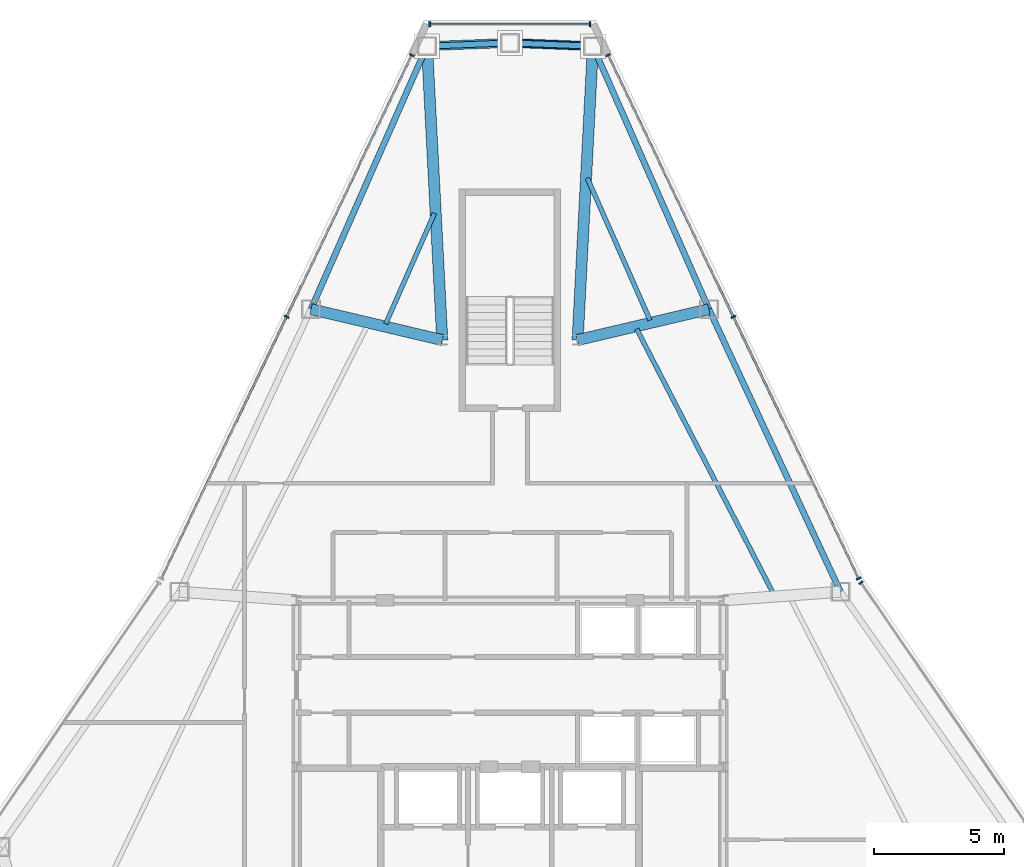
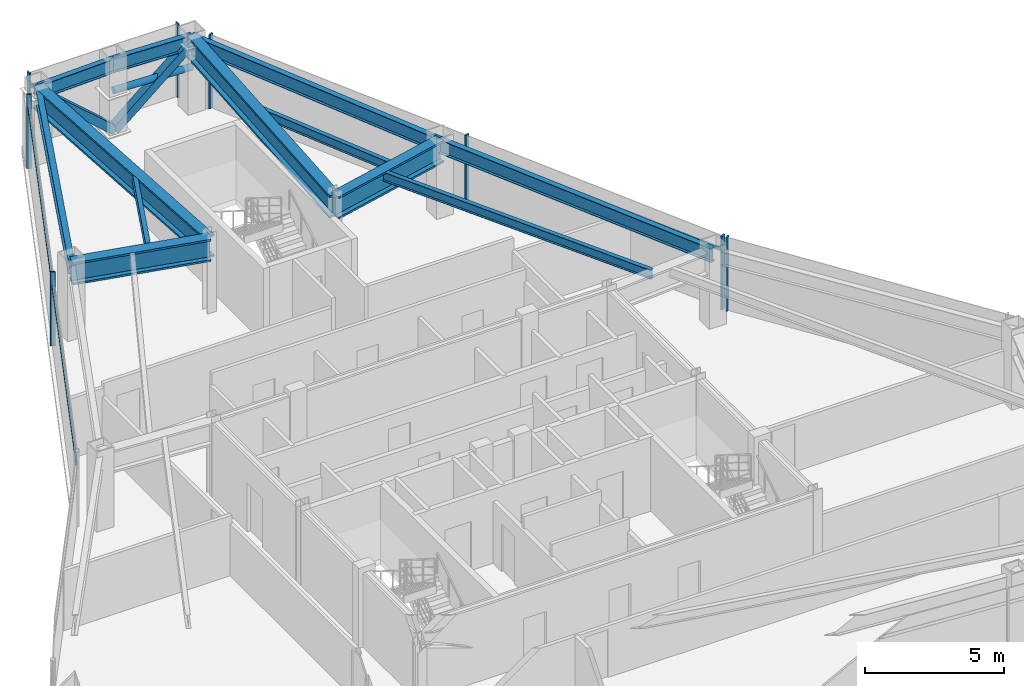
# One storey, part 7 of 12: 14 members, 12 beams, 4 elements without a shape of their own.
"""IFC4 building model written with IfcOpenShell, lengths in metres."""

from ifc_helpers import new_model, si_unit, direction, frame, origin, origin_2d, place, context, subcontext, project, spatial, rectangle, hollow_rectangle, hollow_circle, i_section, extrude, source, transform, mapped, material, layer, layer_set, material_profile, profile_set, type_object, type_shapes, element, aggregate, save


model = new_model("IFC4")

# Units and contexts
model_context = context("Model", 3, precision=1e-05, world=origin(), true_north=direction((0.0, 1.0)))
body_context = subcontext(model_context, "Body", "Model", "MODEL_VIEW")
ifc_project = project(units=[si_unit("LENGTHUNIT", "METRE"), si_unit("AREAUNIT", "SQUARE_METRE"), si_unit("VOLUMEUNIT", "CUBIC_METRE"), si_unit("PLANEANGLEUNIT", "RADIAN"), si_unit("MASSUNIT", "GRAM", prefix="KILO")], contexts=[model_context])

# Site, building, storey
site_placement = place(None, origin())
site = spatial("IfcSite", under=ifc_project, at=site_placement, CompositionType="ELEMENT")
building_placement = place(site_placement, origin())
building = spatial("IfcBuilding", under=site, at=building_placement, Name="Varakhsha Concourse Tower", CompositionType="ELEMENT")
storey_placement = place(building_placement, frame((0.0, 0.0, 222.39990234375)))
storey = spatial("IfcBuildingStorey", under=building, at=storey_placement, Name="L63", CompositionType="ELEMENT", Elevation=222.39990234375)

# Beams
ifc_material_1 = material(Name="Structural Steel ASTM A992 Grade 50", Category="steel")
ifc_material_profile_1 = material_profile(ifc_material_1, i_section(OverallWidth=0.177978515625, OverallDepth=0.406982421875, WebThickness=0.008056640625, FlangeThickness=0.012939453125, at=origin_2d()), Name="W16X40")
ifc_profile_set_1 = profile_set([ifc_material_profile_1], Name="Structural Steel ASTM A992 Grade 50")
beam_type_1 = type_object("IfcBeamType", Name="BM-JST-W16X40", PredefinedType="JOIST", material=ifc_profile_set_1)
beam_1_placement = place(storey_placement, frame((37.097412109375, 46.06787109375, 3.046630859375), z_axis=(-0.403583198259, -0.91494295018, 0.0), x_axis=(0.91494295018, -0.403583198259, 0.0)))
element("IfcBeam", 1, at=beam_1_placement, inside=storey, type_object=beam_type_1, Name="BM-TJST-L63-03", PredefinedType="JOIST", context=body_context, shape_type="SweptSolid", body=[
    extrude(i_section(OverallWidth=0.177978515625, OverallDepth=0.406982421875, WebThickness=0.008056640625, FlangeThickness=0.012939453125, at=origin_2d()), origin(), (0.0, 0.0, 1.0), 4.63916015625),
])
beam_2_placement = place(storey_placement, frame((50.12890625, 31.443603515625, 3.046630859375), z_axis=(-0.458935408201, 0.888469634315, 0.0), x_axis=(-0.888469634315, -0.458935408201, 0.0)))
element("IfcBeam", 2, at=beam_2_placement, inside=storey, type_object=beam_type_1, Name="BM-TJST-L63-17", PredefinedType="JOIST", context=body_context, shape_type="SweptSolid", body=[
    extrude(i_section(OverallWidth=0.177978515625, OverallDepth=0.406982421875, WebThickness=0.008056640625, FlangeThickness=0.012939453125, at=origin_2d()), origin(), (0.0, 0.0, 1.0), 11.459228515625),
])
beam_3_placement = place(storey_placement, frame((45.380126953125, 41.9658203125, 3.046630859375), z_axis=(-0.403599895575, 0.914935584777, 0.0), x_axis=(-0.914935584777, -0.403599895575, 0.0)))
element("IfcBeam", 3, at=beam_3_placement, inside=storey, type_object=beam_type_1, Name="BM-TJST-L63-18", PredefinedType="JOIST", context=body_context, shape_type="SweptSolid", body=[
    extrude(i_section(OverallWidth=0.177978515625, OverallDepth=0.406982421875, WebThickness=0.008056640625, FlangeThickness=0.012939453125, at=origin_2d()), origin(), (0.0, 0.0, 1.0), 5.96435546875),
])
ifc_material_profile_2 = material_profile(ifc_material_1, i_section(OverallWidth=0.22900390625, OverallDepth=0.612060546875, WebThickness=0.011962890625, FlangeThickness=0.02001953125, at=origin_2d()), Name="W24X84")
ifc_profile_set_2 = profile_set([ifc_material_profile_2], Name="Structural Steel ASTM A992 Grade 50")
beam_type_2 = type_object("IfcBeamType", Name="BM-SPAN-W24X84", PredefinedType="SPANDREL", material=ifc_profile_set_2)
for number, where, z_axis, x_axis, name in (
    (4, (43.186767578125, 52.491943359375, 2.944091796875), (-0.999225590173, 0.039347426136, 0.0), (-0.039347426136, -0.999225590173, 0.0), "BM-SPAN-L63-01"),
    (5, (40.0, 52.617431640625, 2.944091796875), (-0.999225590173, -0.039347426136, 0.0), (0.039347426136, -0.999225590173, 0.0), "BM-SPAN-L63-02"),
):
    element("IfcBeam", number, at=place(storey_placement, frame(where, z_axis=z_axis, x_axis=x_axis)), inside=storey, type_object=beam_type_2, Name=name, PredefinedType="SPANDREL", context=body_context, shape_type="SweptSolid", body=[
        extrude(i_section(OverallWidth=0.22900390625, OverallDepth=0.612060546875, WebThickness=0.011962890625, FlangeThickness=0.02001953125, at=origin_2d()), origin(), (0.0, 0.0, 1.0), 3.189208984375),
    ])
beam_4_placement = place(storey_placement, frame((36.813232421875, 52.491943359375, 2.944091796875), z_axis=(-0.403585234517, -0.914942051979, 0.0), x_axis=(0.914942051979, -0.403585234517, 0.0)))
element("IfcBeam", 6, at=beam_4_placement, inside=storey, type_object=beam_type_2, Name="BM-SPAN-L63-03", PredefinedType="SPANDREL", context=body_context, shape_type="SweptSolid", body=[
    extrude(i_section(OverallWidth=0.22900390625, OverallDepth=0.612060546875, WebThickness=0.011962890625, FlangeThickness=0.02001953125, at=origin_2d()), origin(), (0.0, 0.0, 1.0), 11.043701171875),
])
beam_5_placement = place(storey_placement, frame((52.698974609375, 31.53173828125, 2.944091796875), z_axis=(-0.422135313271, 0.90653283299, 0.0), x_axis=(-0.90653283299, -0.422135313271, 0.0)))
element("IfcBeam", 7, at=beam_5_placement, inside=storey, type_object=beam_type_2, Name="BM-SPAN-L63-17", PredefinedType="SPANDREL", context=body_context, shape_type="SweptSolid", body=[
    extrude(i_section(OverallWidth=0.22900390625, OverallDepth=0.612060546875, WebThickness=0.011962890625, FlangeThickness=0.02001953125, at=origin_2d()), origin(), (0.0, 0.0, 1.0), 11.975341796875),
])
beam_6_placement = place(storey_placement, frame((47.643798828125, 42.3876953125, 2.944091796875), z_axis=(-0.403585234517, 0.914942051979, 0.0), x_axis=(-0.914942051979, -0.403585234517, 0.0)))
element("IfcBeam", 8, at=beam_6_placement, inside=storey, type_object=beam_type_2, Name="BM-SPAN-L63-18", PredefinedType="SPANDREL", context=body_context, shape_type="SweptSolid", body=[
    extrude(i_section(OverallWidth=0.22900390625, OverallDepth=0.612060546875, WebThickness=0.011962890625, FlangeThickness=0.02001953125, at=origin_2d()), origin(), (0.0, 0.0, 1.0), 11.043701171875),
])
ifc_material_profile_3 = material_profile(ifc_material_1, i_section(OverallWidth=0.427978515625, OverallDepth=0.97509765625, WebThickness=0.050048828125, FlangeThickness=0.0810546875, at=origin_2d()), Name="W36X395")
ifc_profile_set_3 = profile_set([ifc_material_profile_3], Name="Structural Steel ASTM A992 Grade 50")
beam_type_3 = type_object("IfcBeamType", Name="BM-XFER-W36X395", PredefinedType="USERDEFINED", material=ifc_profile_set_3)
for number, where, z_axis, x_axis, name in (
    (9, (42.60009765625, 41.199951171875, 2.7626953125), (0.051884532056, 0.998653090584, 0.0), (-0.998653090584, 0.051884532056, 0.0), "L63 Radial Floor Girder 01"),
    (10, (37.39990234375, 41.199951171875, 2.7626953125), (-0.051884532056, 0.998653090584, 0.0), (-0.998653090584, -0.051884532056, 0.0), "L63 Radial Floor Girder 03"),
):
    element("IfcBeam", number, at=place(storey_placement, frame(where, z_axis=z_axis, x_axis=x_axis)), inside=storey, type_object=beam_type_3, Name=name, ObjectType="GIRDER", PredefinedType="USERDEFINED", context=body_context, shape_type="SweptSolid", body=[
        extrude(i_section(OverallWidth=0.427978515625, OverallDepth=0.97509765625, WebThickness=0.050048828125, FlangeThickness=0.0810546875, at=origin_2d()), origin(), (0.0, 0.0, 1.0), 11.30712890625),
    ])
for number, where, z_axis, x_axis, name in (
    (11, (37.39990234375, 41.199951171875, 2.7626953125), (-0.973374515128, 0.229220534203, 0.0), (-0.229220534203, -0.973374515128, 0.0), "L63 Radial Floor Girder 04"),
    (12, (42.60009765625, 41.199951171875, 2.7626953125), (0.973374515128, 0.229220534203, 0.0), (-0.229220534203, 0.973374515128, 0.0), "L63 Radial Floor Girder 18"),
):
    element("IfcBeam", number, at=place(storey_placement, frame(where, z_axis=z_axis, x_axis=x_axis)), inside=storey, type_object=beam_type_3, Name=name, ObjectType="GIRDER", PredefinedType="USERDEFINED", context=body_context, shape_type="SweptSolid", body=[
        extrude(i_section(OverallWidth=0.427978515625, OverallDepth=0.97509765625, WebThickness=0.050048828125, FlangeThickness=0.0810546875, at=origin_2d()), origin(), (0.0, 0.0, 1.0), 5.181640625),
    ])

# Members
ifc_material_2 = material(Name="Structural Steel ASTM A500 Grade C", Category="steel")
ifc_material_profile_4 = material_profile(ifc_material_2, hollow_rectangle(XDim=0.35009765625, YDim=0.35009765625, WallThickness=0.01611328125, at=origin_2d()), Name="HSS 350x350x16")
ifc_profile_set_4 = profile_set([ifc_material_profile_4], Name="Structural Steel ASTM A500 Grade C")
member_type_1 = type_object("IfcMemberType", Name="MB-TUBE-HSS350", PredefinedType="BRACE", material=ifc_profile_set_4)
shared_shape_1 = source(origin(), body_context, "Body", "SweptSolid", [
    extrude(hollow_rectangle(XDim=0.35009765625, YDim=0.35009765625, WallThickness=0.01611328125, at=origin_2d()), origin(), (0.0, 0.0, 1.0), 4.263916015625),
])
type_shapes(member_type_1, [shared_shape_1])
for number, where, z_axis, x_axis, name in (
    (13, (40.0, 52.617431640625, 0.1201171875), (0.747388752207, -0.02943061508, 0.663734805453), (0.039347426136, 0.999225590173, 0.0), "L63 Wind-Corner Tube Brace B01"),
    (14, (40.0, 52.617431640625, 0.1201171875), (-0.747388752207, -0.02943061508, 0.663734805453), (0.039347426136, -0.999225590173, 0.0), "L63 Wind-Corner Tube Brace B02"),
):
    element("IfcMember", number, at=place(storey_placement, frame(where, z_axis=z_axis, x_axis=x_axis)), inside=storey, type_object=member_type_1, Name=name, PredefinedType="BRACE", context=body_context, shape_type="MappedRepresentation", body=[
        mapped(shared_shape_1, transform((0.0, 0.0, 0.0), scale=1.0)),
    ])
ifc_material_profile_5 = material_profile(ifc_material_2, hollow_circle(Radius=0.136474609375, WallThickness=0.011962890625, at=origin_2d()), Name="CHS 273x12")
ifc_profile_set_5 = profile_set([ifc_material_profile_5], Name="Structural Steel ASTM A500 Grade C")
member_type_2 = type_object("IfcMemberType", Name="MB-WIND-CHS273", PredefinedType="COLLAR", material=ifc_profile_set_5)
shared_shape_2 = source(origin(), body_context, "Body", "SweptSolid", [
    extrude(hollow_circle(Radius=0.136474609375, WallThickness=0.011962890625, at=origin_2d()), origin(), (0.0, 0.0, 1.0), 3.189208984375),
])
type_shapes(member_type_2, [shared_shape_2])
member_1_placement = place(storey_placement, frame((43.186767578125, 52.491943359375, 1.800048828125), z_axis=(-0.999225590173, 0.039347426136, 0.0), x_axis=(-0.039347426136, -0.999225590173, 0.0)))
element("IfcMember", 15, at=member_1_placement, inside=storey, type_object=member_type_2, Name="L63 Wind-Corner Collar Tie 1", PredefinedType="COLLAR", context=body_context, shape_type="MappedRepresentation", body=[
    mapped(shared_shape_2, transform((0.0, 0.0, 0.0), scale=1.0)),
])

# Curtain wall, members
ifc_material_3 = material(Name="Anodised Bronze Architectural Aluminium AA 6063-T6", Category="aluminium")
ifc_layer = layer(ifc_material_3, 0.199951171875, Name="CW-SYS-05")
ifc_layer_set = layer_set([ifc_layer], Name="Anodised Bronze Architectural Aluminium AA 6063-T6")
curtain_wall_type = type_object("IfcCurtainWallType", Name="CW-SYS-05", PredefinedType="NOTDEFINED", material=ifc_layer_set)
curtain_wall_1_placement = place(storey_placement, origin())
curtain_wall_1 = element("IfcCurtainWall", 16, at=curtain_wall_1_placement, inside=storey, type_object=curtain_wall_type, Name="L63 Chamfer Curtain Wall F1", PredefinedType="NOTDEFINED")
ifc_material_profile_6 = material_profile(ifc_material_3, rectangle(XDim=0.06494140625, YDim=0.179931640625, at=origin_2d()), Name="CWM-180X65")
ifc_profile_set_6 = profile_set([ifc_material_profile_6], Name="Anodised Bronze Architectural Aluminium AA 6063-T6")
member_type_3 = type_object("IfcMemberType", Name="CWM-180X65", PredefinedType="MULLION", material=ifc_profile_set_6)
shared_shape_3 = source(origin(), body_context, "Body", "SweptSolid", [
    extrude(rectangle(XDim=0.06494140625, YDim=0.179931640625, at=origin_2d()), origin(), (0.0, 0.0, 1.0), 3.25),
])
type_shapes(member_type_3, [shared_shape_3])
member_2_placement = place(storey_placement, frame((36.919921875, 53.33740234375, 0.0), z_axis=(0.0, 0.0, 1.0), x_axis=(1.0, 0.0, 0.0)))
member_2 = element("IfcMember", 17, at=member_2_placement, type_object=member_type_3, Name="CW-L63-F1 Mullion 00", PredefinedType="MULLION", context=body_context, shape_type="MappedRepresentation", body=[
    mapped(shared_shape_3, transform((0.0, 0.0, 0.0), scale=1.0)),
])
member_3_placement = place(storey_placement, frame((43.080078125, 53.33740234375, 0.0), z_axis=(0.0, 0.0, 1.0), x_axis=(1.0, 0.0, 0.0)))
member_3 = element("IfcMember", 18, at=member_3_placement, type_object=member_type_3, Name="CW-L63-F1 Mullion 01", PredefinedType="MULLION", context=body_context, shape_type="MappedRepresentation", body=[
    mapped(shared_shape_3, transform((0.0, 0.0, 0.0), scale=1.0)),
])

curtain_wall_2_placement = place(storey_placement, origin())
curtain_wall_2 = element("IfcCurtainWall", 19, at=curtain_wall_2_placement, inside=storey, type_object=curtain_wall_type, Name="L63 Crystal Curtain Wall F2", PredefinedType="NOTDEFINED")
member_4_placement = place(storey_placement, frame((31.41748046875, 42.09423828125, 0.0), z_axis=(0.0, 0.0, 1.0), x_axis=(0.431862228288, 0.901939585437, 0.0)))
member_4 = element("IfcMember", 20, at=member_4_placement, type_object=member_type_3, Name="CW-L63-F2 Mullion 01", PredefinedType="MULLION", context=body_context, shape_type="MappedRepresentation", body=[
    mapped(shared_shape_3, transform((0.0, 0.0, 0.0), scale=1.0)),
])
member_5_placement = place(storey_placement, frame((36.231201171875, 52.147705078125, 0.0), z_axis=(0.0, 0.0, 1.0), x_axis=(0.431862228288, 0.901939585437, 0.0)))
member_5 = element("IfcMember", 21, at=member_5_placement, type_object=member_type_3, Name="CW-L63-F2 Mullion 02", PredefinedType="MULLION", context=body_context, shape_type="MappedRepresentation", body=[
    mapped(shared_shape_3, transform((0.0, 0.0, 0.0), scale=1.0)),
])

# Curtain wall, member
curtain_wall_3_placement = place(storey_placement, origin())
curtain_wall_3 = element("IfcCurtainWall", 22, at=curtain_wall_3_placement, inside=storey, type_object=curtain_wall_type, Name="L63 Crystal Curtain Wall F8", PredefinedType="NOTDEFINED")
member_6_placement = place(storey_placement, frame((53.488525390625, 31.88134765625, 0.0), z_axis=(0.0, 0.0, 1.0), x_axis=(0.565172919372, -0.82497246694, 0.0)))
member_6 = element("IfcMember", 23, at=member_6_placement, type_object=member_type_3, Name="CW-L63-F8 Mullion 00", PredefinedType="MULLION", context=body_context, shape_type="MappedRepresentation", body=[
    mapped(shared_shape_3, transform((0.0, 0.0, 0.0), scale=1.0)),
])
aggregate(curtain_wall_3, [member_6])

# Curtain wall, members
curtain_wall_4_placement = place(storey_placement, origin())
curtain_wall_4 = element("IfcCurtainWall", 24, at=curtain_wall_4_placement, inside=storey, type_object=curtain_wall_type, Name="L63 Crystal Curtain Wall F9", PredefinedType="NOTDEFINED")
member_7_placement = place(storey_placement, frame((43.768798828125, 52.147705078125, 0.0), z_axis=(0.0, 0.0, 1.0), x_axis=(0.431862228288, -0.901939585437, 0.0)))
member_7 = element("IfcMember", 25, at=member_7_placement, type_object=member_type_3, Name="CW-L63-F9 Mullion 00", PredefinedType="MULLION", context=body_context, shape_type="MappedRepresentation", body=[
    mapped(shared_shape_3, transform((0.0, 0.0, 0.0), scale=1.0)),
])
member_8_placement = place(storey_placement, frame((48.582763671875, 42.09423828125, 0.0), z_axis=(0.0, 0.0, 1.0), x_axis=(0.431862228288, -0.901939585437, 0.0)))
member_8 = element("IfcMember", 26, at=member_8_placement, type_object=member_type_3, Name="CW-L63-F9 Mullion 01", PredefinedType="MULLION", context=body_context, shape_type="MappedRepresentation", body=[
    mapped(shared_shape_3, transform((0.0, 0.0, 0.0), scale=1.0)),
])
member_9_placement = place(storey_placement, frame((53.396484375, 32.040771484375, 0.0), z_axis=(0.0, 0.0, 1.0), x_axis=(0.431862228288, -0.901939585437, 0.0)))
member_9 = element("IfcMember", 27, at=member_9_placement, type_object=member_type_3, Name="CW-L63-F9 Mullion 02", PredefinedType="MULLION", context=body_context, shape_type="MappedRepresentation", body=[
    mapped(shared_shape_3, transform((0.0, 0.0, 0.0), scale=1.0)),
])

# Member
ifc_material_profile_7 = material_profile(ifc_material_3, rectangle(XDim=0.06005859375, YDim=0.139892578125, at=origin_2d()), Name="CWT-140X60")
ifc_profile_set_7 = profile_set([ifc_material_profile_7], Name="Anodised Bronze Architectural Aluminium AA 6063-T6")
member_type_4 = type_object("IfcMemberType", Name="CWT-140X60", PredefinedType="USERDEFINED", material=ifc_profile_set_7)
shared_shape_4 = source(origin(), body_context, "Body", "SweptSolid", [
    extrude(rectangle(XDim=0.06005859375, YDim=0.139892578125, at=origin_2d()), origin(), (0.0, 0.0, 1.0), 22.29296875),
])
member_10_placement = place(storey_placement, frame((26.603515625, 32.040771484375, 2.60009765625), z_axis=(0.431868926754, 0.90193637808, 0.0), x_axis=(-0.90193637808, 0.431868926754, 0.0)))
member_10 = element("IfcMember", 28, at=member_10_placement, type_object=member_type_4, Name="CW-L63-F2 Transom 01", ObjectType="TRANSOM", PredefinedType="USERDEFINED", context=body_context, shape_type="MappedRepresentation", body=[
    mapped(shared_shape_4, transform((0.0, 0.0, 0.0), scale=1.0)),
])

aggregate(curtain_wall_2, [member_4, member_5, member_10])

member_11_placement = place(storey_placement, frame((43.768798828125, 52.147705078125, 2.60009765625), z_axis=(0.431868926754, -0.90193637808, 0.0), x_axis=(0.90193637808, 0.431868926754, 0.0)))
member_11 = element("IfcMember", 29, at=member_11_placement, type_object=member_type_4, Name="CW-L63-F9 Transom 01", ObjectType="TRANSOM", PredefinedType="USERDEFINED", context=body_context, shape_type="MappedRepresentation", body=[
    mapped(shared_shape_4, transform((0.0, 0.0, 0.0), scale=1.0)),
])

aggregate(curtain_wall_4, [member_7, member_8, member_9, member_11])

shared_shape_5 = source(origin(), body_context, "Body", "SweptSolid", [
    extrude(rectangle(XDim=0.06005859375, YDim=0.139892578125, at=origin_2d()), origin(), (0.0, 0.0, 1.0), 6.16015625),
])
type_shapes(member_type_4, [shared_shape_4, shared_shape_5])
member_12_placement = place(storey_placement, frame((36.919921875, 53.33740234375, 2.60009765625), z_axis=(1.0, 0.0, 0.0), x_axis=(0.0, 1.0, 0.0)))
member_12 = element("IfcMember", 30, at=member_12_placement, type_object=member_type_4, Name="CW-L63-F1 Transom 01", ObjectType="TRANSOM", PredefinedType="USERDEFINED", context=body_context, shape_type="MappedRepresentation", body=[
    mapped(shared_shape_5, transform((0.0, 0.0, 0.0), scale=1.0)),
])

aggregate(curtain_wall_1, [member_2, member_3, member_12])

save(model, "model.ifc")
